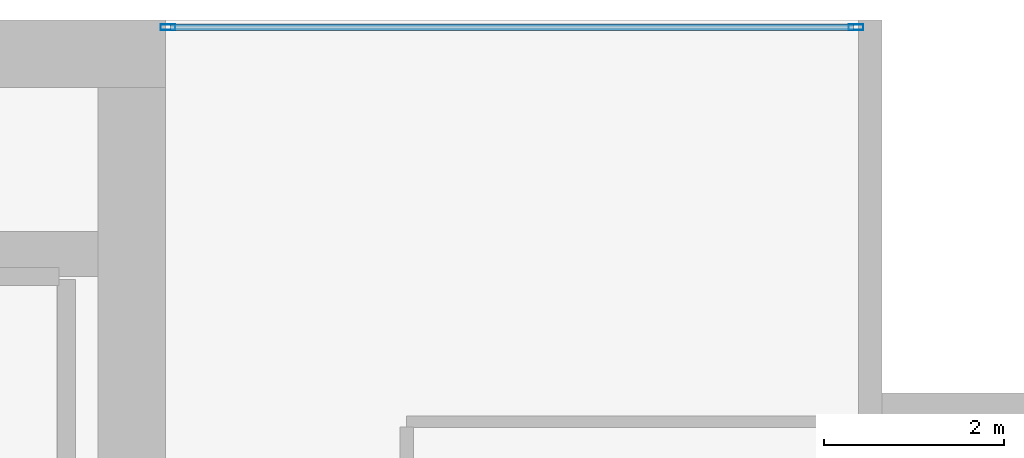
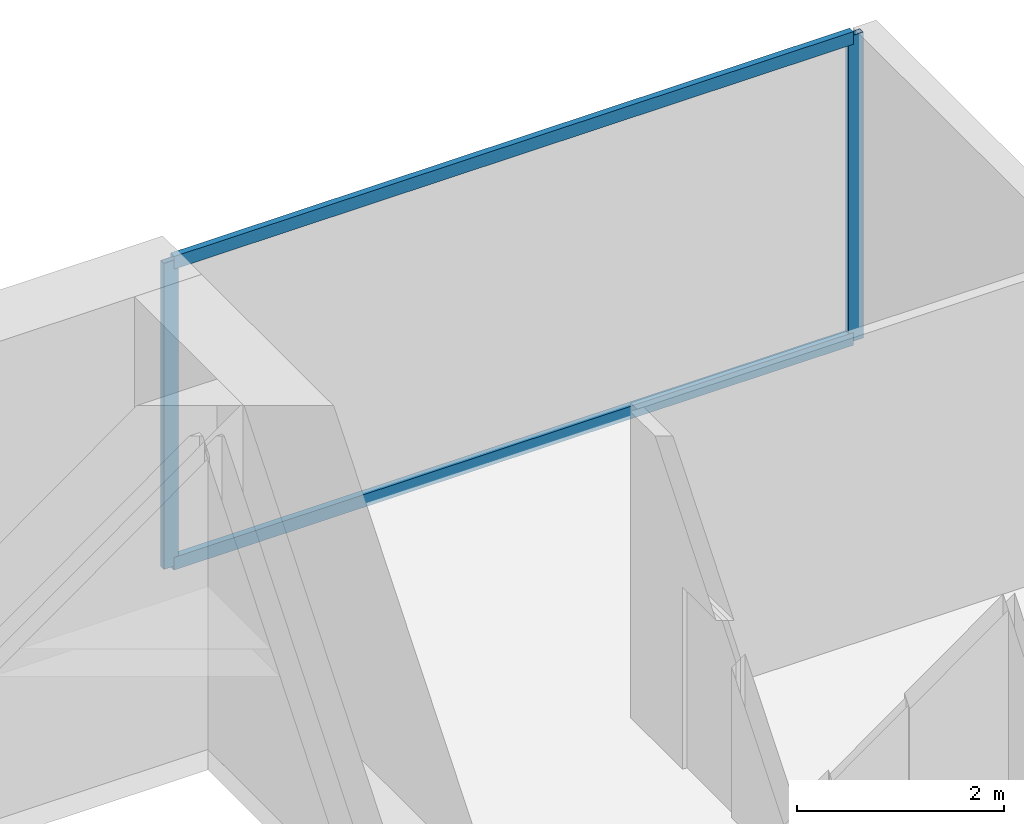
# One storey, part 25 of 34: 4 members, 1 element without a shape of its own.
"""IFC4 building model written with IfcOpenShell, lengths in metres."""

from ifc_helpers import new_model, si_unit, direction, frame, origin, origin_2d, place, context, subcontext, project, spatial, hollow_rectangle, extrude, material, layer, layer_set, material_profile, profile_set, type_object, element, aggregate, save


model = new_model("IFC4")

# Units and contexts
model_context = context("Model", 3, precision=1e-05, world=origin(), true_north=direction((0.0, 1.0)))
body_context = subcontext(model_context, "Body", "Model", "MODEL_VIEW")
ifc_project = project(units=[si_unit("LENGTHUNIT", "METRE"), si_unit("AREAUNIT", "SQUARE_METRE"), si_unit("VOLUMEUNIT", "CUBIC_METRE"), si_unit("PLANEANGLEUNIT", "RADIAN"), si_unit("MASSUNIT", "GRAM", prefix="KILO")], contexts=[model_context])

# Site, building, storey
site_placement = place(None, origin())
site = spatial("IfcSite", under=ifc_project, at=site_placement, CompositionType="ELEMENT")
building_placement = place(site_placement, origin())
building = spatial("IfcBuilding", under=site, at=building_placement, Name="Maruvema Waterfront Hotel and Observation Tower", CompositionType="ELEMENT")
storey_placement = place(building_placement, frame((0.0, 0.0, 208.25)))
storey = spatial("IfcBuildingStorey", under=building, at=storey_placement, Name="L51", CompositionType="ELEMENT", Elevation=208.25)

# Curtain wall, members
ifc_material_1 = material(Name="Anodised bronze aluminium and solar-control low-E IGU", Category="aluminium")
ifc_layer = layer(ifc_material_1, 0.159912109375, Name="Zone 2 Amber Inner Thermal Curtain Wall System CW-03")
ifc_layer_set = layer_set([ifc_layer], Name="Anodised bronze aluminium and solar-control low-E IGU")
curtain_wall_type = type_object("IfcCurtainWallType", Name="Zone 2 Amber Inner Thermal Curtain Wall System CW-03", PredefinedType="USERDEFINED", material=ifc_layer_set)
curtain_wall_placement = place(storey_placement, origin())
curtain_wall = element("IfcCurtainWall", 1, at=curtain_wall_placement, inside=storey, type_object=curtain_wall_type, Name="L51 Curtain Wall CW-L51-NE", ObjectType="UNITISED CURTAIN WALL", PredefinedType="USERDEFINED")
ifc_material_2 = material(Name="Anodised architectural bronze aluminium", Category="aluminium")
ifc_material_profile_1 = material_profile(ifc_material_2, hollow_rectangle(XDim=0.070068359375, YDim=0.14990234375, WallThickness=0.00390625, at=origin_2d()), Name="ALU-T70x150")
ifc_profile_set_1 = profile_set([ifc_material_profile_1], Name="Anodised architectural bronze aluminium")
member_type_1 = type_object("IfcMemberType", Name="Curtain Wall Horizontal Transom ALU-T70x150", PredefinedType="USERDEFINED", material=ifc_profile_set_1)
member_1_placement = place(storey_placement, frame((58.0400390625, 53.919921875, 0.030029296875), z_axis=(-1.0, 0.0, 0.0), x_axis=(0.0, -1.0, 0.0)))
member_1 = element("IfcMember", 2, at=member_1_placement, type_object=member_type_1, Name="CW-03 transom 1.1", ObjectType="TRANSOM", PredefinedType="USERDEFINED", context=body_context, shape_type="SweptSolid", body=[
    extrude(hollow_rectangle(XDim=0.070068359375, YDim=0.14990234375, WallThickness=0.00390625, at=origin_2d()), origin(), (0.0, 0.0, 1.0), 7.580078125),
])
member_2_placement = place(storey_placement, frame((58.0400390625, 53.919921875, 3.580078125), z_axis=(-1.0, 0.0, 0.0), x_axis=(0.0, -1.0, 0.0)))
member_2 = element("IfcMember", 3, at=member_2_placement, type_object=member_type_1, Name="CW-03 transom 1.2", ObjectType="TRANSOM", PredefinedType="USERDEFINED", context=body_context, shape_type="SweptSolid", body=[
    extrude(hollow_rectangle(XDim=0.070068359375, YDim=0.14990234375, WallThickness=0.00390625, at=origin_2d()), origin(), (0.0, 0.0, 1.0), 7.580078125),
])
ifc_material_3 = material(Name="Anodised architectural bronze aluminium", Category="aluminium")
ifc_material_profile_2 = material_profile(ifc_material_3, hollow_rectangle(XDim=0.06494140625, YDim=0.1650390625, WallThickness=0.00390625, at=origin_2d()), Name="ALU-M65x165")
ifc_profile_set_2 = profile_set([ifc_material_profile_2], Name="Anodised architectural bronze aluminium")
member_type_2 = type_object("IfcMemberType", Name="Curtain Wall Primary Mullion ALU-M65x165", PredefinedType="MULLION", material=ifc_profile_set_2)
member_3_placement = place(storey_placement, frame((58.070068359375, 53.919921875, 0.0), z_axis=(0.0, 0.0, 1.0), x_axis=(0.0, -1.0, 0.0)))
member_3 = element("IfcMember", 4, at=member_3_placement, type_object=member_type_2, Name="CW-03 mullion 1", PredefinedType="MULLION", context=body_context, shape_type="SweptSolid", body=[
    extrude(hollow_rectangle(XDim=0.06494140625, YDim=0.1650390625, WallThickness=0.00390625, at=origin_2d()), origin(), (0.0, 0.0, 1.0), 3.610107421875),
])
member_4_placement = place(storey_placement, frame((50.429931640625, 53.919921875, 0.0), z_axis=(0.0, 0.0, 1.0), x_axis=(0.0, -1.0, 0.0)))
member_4 = element("IfcMember", 5, at=member_4_placement, type_object=member_type_2, Name="CW-03 mullion 2", PredefinedType="MULLION", context=body_context, shape_type="SweptSolid", body=[
    extrude(hollow_rectangle(XDim=0.06494140625, YDim=0.1650390625, WallThickness=0.00390625, at=origin_2d()), origin(), (0.0, 0.0, 1.0), 3.610107421875),
])
aggregate(curtain_wall, [member_3, member_4, member_1, member_2])

save(model, "model.ifc")
